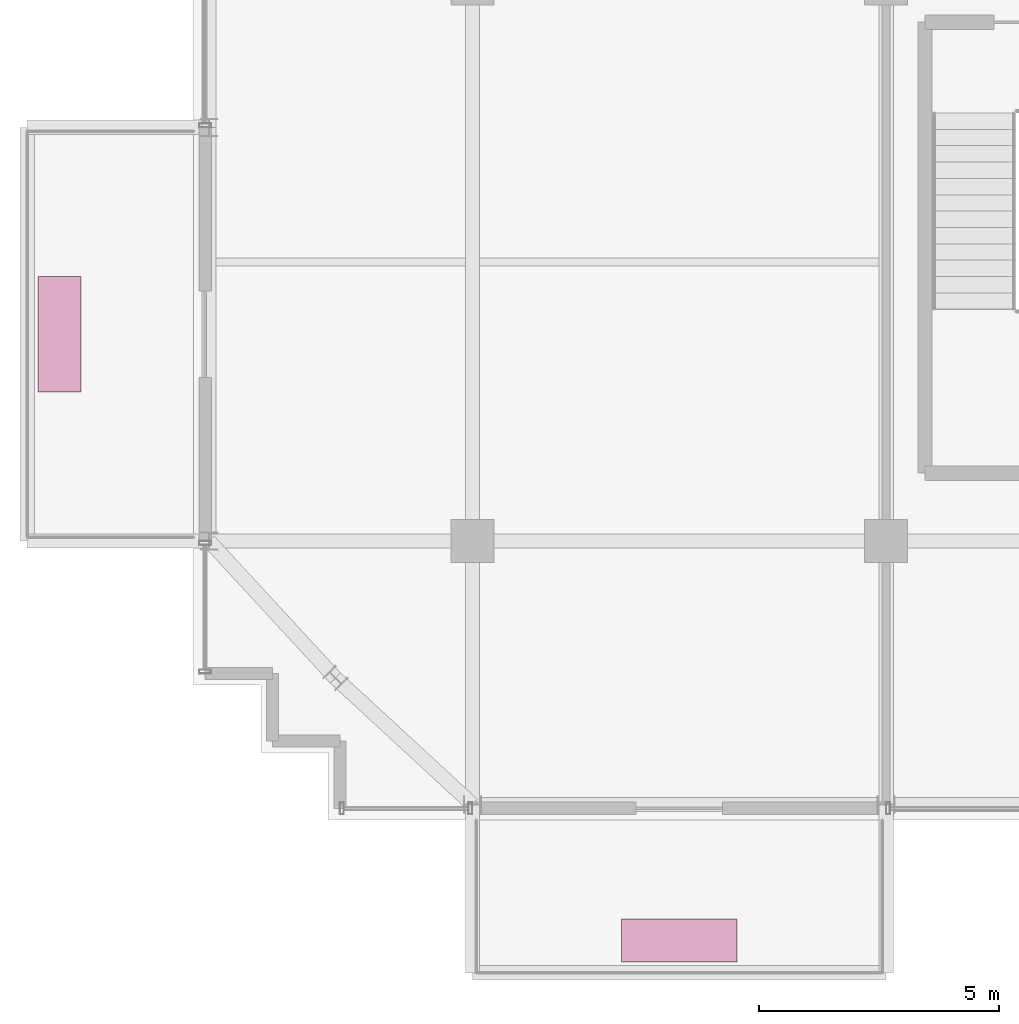
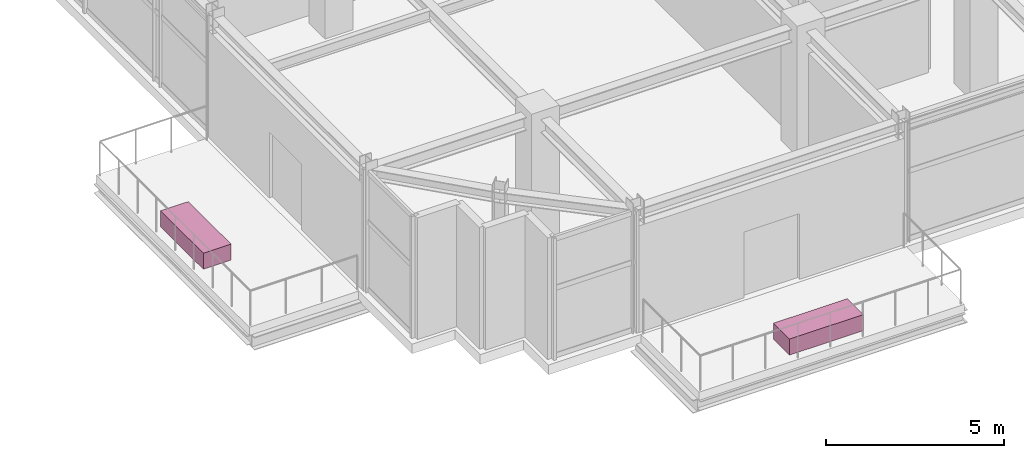
# One storey, part 25 of 25: 2 furnishings.
"""IFC4 building model written with IfcOpenShell, lengths in metres."""

from ifc_helpers import new_model, si_unit, direction, frame, origin, origin_2d, place, context, subcontext, project, spatial, rectangle, extrude, source, transform, mapped, material, type_object, element, save


model = new_model("IFC4")

# Units and contexts
model_context = context("Model", 3, precision=1e-05, world=origin(), true_north=direction((0.0, 1.0)))
body_context = subcontext(model_context, "Body", "Model", "MODEL_VIEW")
ifc_project = project(units=[si_unit("LENGTHUNIT", "METRE"), si_unit("AREAUNIT", "SQUARE_METRE"), si_unit("VOLUMEUNIT", "CUBIC_METRE"), si_unit("PLANEANGLEUNIT", "RADIAN"), si_unit("MASSUNIT", "GRAM", prefix="KILO")], contexts=[model_context])

# Site, building, storey
site_placement = place(None, origin())
site = spatial("IfcSite", under=ifc_project, at=site_placement, CompositionType="ELEMENT")
building_placement = place(site_placement, origin())
building = spatial("IfcBuilding", under=site, at=building_placement, Name="Nahalor Promenade Grand Hotel", CompositionType="ELEMENT")
storey_placement = place(building_placement, frame((0.0, 0.0, 338.550048828125)))
storey = spatial("IfcBuildingStorey", under=building, at=storey_placement, Name="L87", CompositionType="ELEMENT", Elevation=338.550048828125)

# Furnishings
ifc_material = material(Name="Vegetated Volcanic-Lapilli Tree Planter", Category="earth")
furnishing_element_type = type_object("IfcFurnishingElementType", Name="Planter-VerticalForest-Box", material=ifc_material)
shared_shape = source(origin(), body_context, "Body", "SweptSolid", [
    extrude(rectangle(XDim=2.39990234375, YDim=0.89990234375, at=origin_2d()), origin(), (0.0, 0.0, 1.0), 0.550048828125),
])
for number, where, z_axis, x_axis, name in (
    (1, (-12.699951171875, -25.31005859375, 0.0), (0.0, 0.0, 1.0), (1.0, 0.0, 0.0), "L87 Balcony Structural Tree Planter 1"),
    (2, (-25.590087890625, -12.699951171875, 0.0), (0.0, 0.0, 1.0), (0.0, 1.0, 0.0), "L87 Balcony Structural Tree Planter 2"),
):
    element("IfcFurnishingElement", number, at=place(storey_placement, frame(where, z_axis=z_axis, x_axis=x_axis)), inside=storey, type_object=furnishing_element_type, Name=name, ObjectType="PLANTER", context=body_context, shape_type="MappedRepresentation", body=[
        mapped(shared_shape, transform((0.0, 0.0, 0.0), scale=1.0)),
    ])

save(model, "model.ifc")
